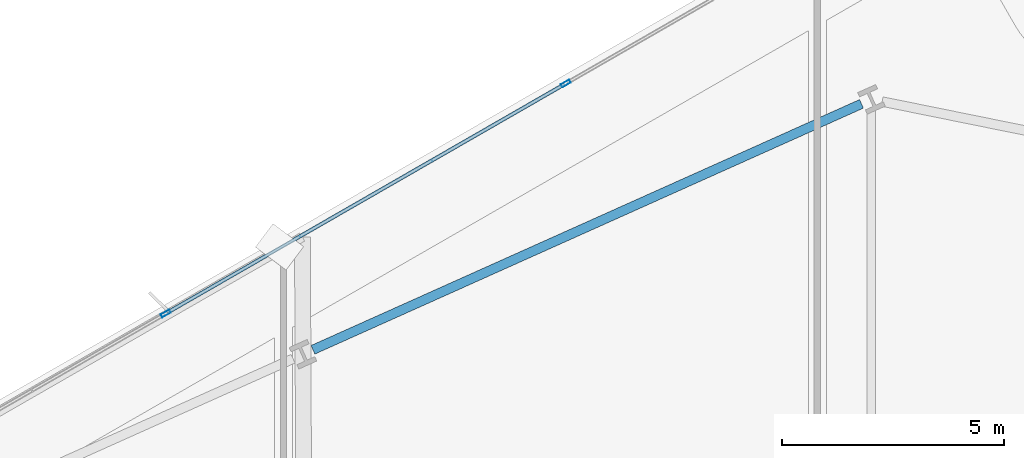
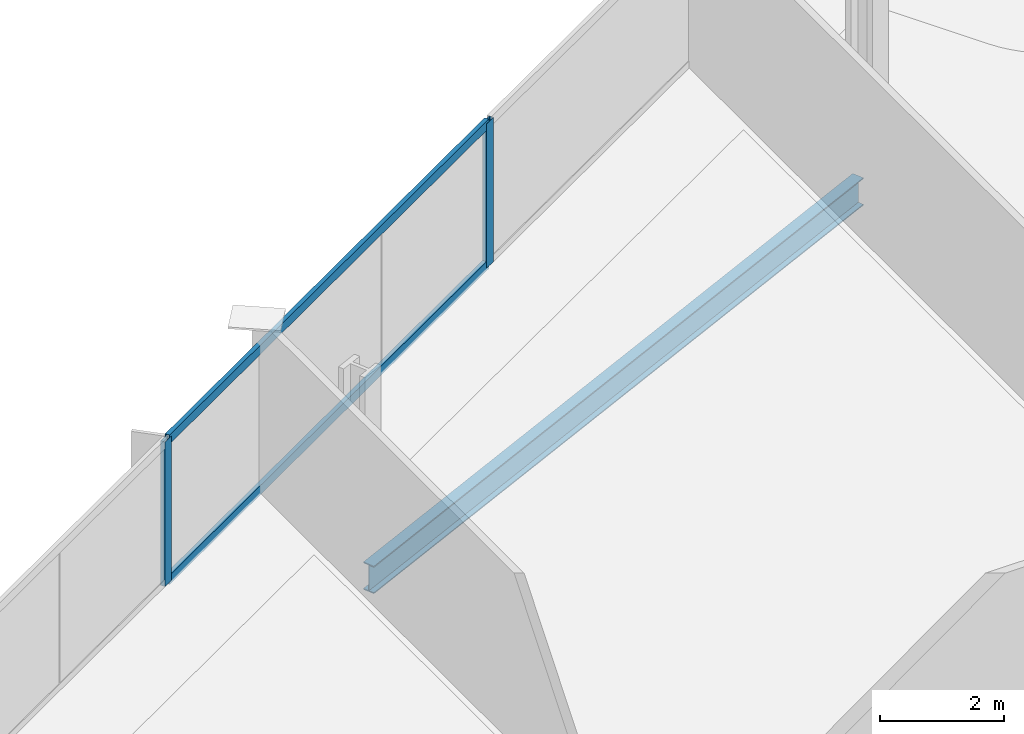
# One storey, part 15 of 33: 4 members, 1 beam, 1 element without a shape of its own.
"""IFC4 building model written with IfcOpenShell, lengths in metres."""

from ifc_helpers import new_model, si_unit, direction, frame, origin, origin_2d, place, context, subcontext, project, spatial, hollow_rectangle, i_section, extrude, material, material_profile, profile_set, type_object, element, aggregate, save


model = new_model("IFC4")

# Units and contexts
model_context = context("Model", 3, precision=1e-05, world=origin(), true_north=direction((0.0, 1.0)))
body_context = subcontext(model_context, "Body", "Model", "MODEL_VIEW")
ifc_project = project(units=[si_unit("LENGTHUNIT", "METRE"), si_unit("AREAUNIT", "SQUARE_METRE"), si_unit("VOLUMEUNIT", "CUBIC_METRE"), si_unit("PLANEANGLEUNIT", "RADIAN"), si_unit("MASSUNIT", "GRAM", prefix="KILO")], contexts=[model_context])

# Site, building, storey
site_placement = place(None, origin())
site = spatial("IfcSite", under=ifc_project, at=site_placement, CompositionType="ELEMENT")
building_placement = place(site_placement, origin())
building = spatial("IfcBuilding", under=site, at=building_placement, Name="Haldenkirk Collegiate Tower", CompositionType="ELEMENT")
storey_placement = place(building_placement, frame((0.0, 0.0, 127.949951171875)))
storey = spatial("IfcBuildingStorey", under=building, at=storey_placement, Name="L31", CompositionType="ELEMENT", Elevation=127.949951171875)

# Beam
ifc_material_1 = material(Name="Steel ASTM A992 Grade 50", Category="steel")
ifc_material_profile_1 = material_profile(ifc_material_1, i_section(OverallWidth=0.2119140625, OverallDepth=0.5439453125, WebThickness=0.01318359375, FlangeThickness=0.021240234375, at=origin_2d()), Name="W21X83")
ifc_profile_set_1 = profile_set([ifc_material_profile_1], Name="Steel ASTM A992 Grade 50")
beam_type = type_object("IfcBeamType", Name="BM-SPANDREL-W21X83", PredefinedType="SPANDREL", material=ifc_profile_set_1)
beam_placement = place(storey_placement, frame((39.4921875, 51.84033203125, -0.572021484375), z_axis=(-0.912476765144, -0.409128528793, 0.0), x_axis=(0.409128528793, -0.912476765144, 0.0)))
element("IfcBeam", 1, at=beam_placement, inside=storey, type_object=beam_type, Name="L31 perimeter spandrel beam 10", PredefinedType="SPANDREL", context=body_context, shape_type="SweptSolid", body=[
    extrude(i_section(OverallWidth=0.2119140625, OverallDepth=0.5439453125, WebThickness=0.01318359375, FlangeThickness=0.021240234375, at=origin_2d()), origin(), (0.0, 0.0, 1.0), 13.512939453125),
])

# Curtain wall, members
ifc_material_2 = material(Name="Anodised architectural bronze aluminium", Category="aluminium")
curtain_wall_type = type_object("IfcCurtainWallType", Name="CW-SYS1-CONVEX-LOW", PredefinedType="USERDEFINED", material=ifc_material_2)
curtain_wall_placement = place(storey_placement, origin())
curtain_wall = element("IfcCurtainWall", 2, at=curtain_wall_placement, inside=storey, type_object=curtain_wall_type, Name="L31 Lower tower convex bronze-framed unitised curtain wall", ObjectType="UNITISED CURTAIN WALL", PredefinedType="USERDEFINED")
ifc_material_profile_2 = material_profile(ifc_material_2, hollow_rectangle(XDim=0.080078125, YDim=0.219970703125, WallThickness=0.0048828125, at=origin_2d()), Name="CW-MUL-1A")
ifc_profile_set_2 = profile_set([ifc_material_profile_2], Name="Anodised architectural bronze aluminium")
member_type_1 = type_object("IfcMemberType", Name="CW-MUL-1A", PredefinedType="MULLION", material=ifc_profile_set_2)
member_1_placement = place(storey_placement, frame((23.851806640625, 47.12646484375, 0.0), z_axis=(0.0, 0.0, 1.0), x_axis=(-0.498488961578, 0.866896046355, 0.0)))
member_1 = element("IfcMember", 3, at=member_1_placement, type_object=member_type_1, Name="CW-1A mullion 3", PredefinedType="MULLION", context=body_context, shape_type="SweptSolid", body=[
    extrude(hollow_rectangle(XDim=0.080078125, YDim=0.219970703125, WallThickness=0.0048828125, at=origin_2d()), origin(), (0.0, 0.0, 1.0), 2.85107421875),
])
member_2_placement = place(storey_placement, frame((32.845947265625, 52.298095703125, 0.0), z_axis=(0.0, 0.0, 1.0), x_axis=(-0.498488961578, 0.866896046355, 0.0)))
member_2 = element("IfcMember", 4, at=member_2_placement, type_object=member_type_1, Name="CW-1A mullion 4", PredefinedType="MULLION", context=body_context, shape_type="SweptSolid", body=[
    extrude(hollow_rectangle(XDim=0.080078125, YDim=0.219970703125, WallThickness=0.0048828125, at=origin_2d()), origin(), (0.0, 0.0, 1.0), 2.85107421875),
])
ifc_material_profile_3 = material_profile(ifc_material_2, hollow_rectangle(XDim=0.080078125, YDim=0.179931640625, WallThickness=0.0048828125, at=origin_2d()), Name="CW-TRN-1A")
ifc_profile_set_3 = profile_set([ifc_material_profile_3], Name="Anodised architectural bronze aluminium")
member_type_2 = type_object("IfcMemberType", Name="CW-TRN-1A", PredefinedType="USERDEFINED", material=ifc_profile_set_3)
member_3_placement = place(storey_placement, frame((23.886474609375, 47.146240234375, 0.0400390625), z_axis=(0.866892980966, 0.498494292397, 0.0), x_axis=(-0.498494292397, 0.866892980966, 0.0)))
member_3 = element("IfcMember", 5, at=member_3_placement, type_object=member_type_2, Name="CW-1A transom 3.1", ObjectType="TRANSOM", PredefinedType="USERDEFINED", context=body_context, shape_type="SweptSolid", body=[
    extrude(hollow_rectangle(XDim=0.080078125, YDim=0.179931640625, WallThickness=0.0048828125, at=origin_2d()), origin(), (0.0, 0.0, 1.0), 10.295166015625),
])
member_4_placement = place(storey_placement, frame((23.886474609375, 47.146240234375, 2.81103515625), z_axis=(0.866892980966, 0.498494292397, 0.0), x_axis=(-0.498494292397, 0.866892980966, 0.0)))
member_4 = element("IfcMember", 6, at=member_4_placement, type_object=member_type_2, Name="CW-1A transom 3.2", ObjectType="TRANSOM", PredefinedType="USERDEFINED", context=body_context, shape_type="SweptSolid", body=[
    extrude(hollow_rectangle(XDim=0.080078125, YDim=0.179931640625, WallThickness=0.0048828125, at=origin_2d()), origin(), (0.0, 0.0, 1.0), 10.295166015625),
])
aggregate(curtain_wall, [member_1, member_2, member_3, member_4])

save(model, "model.ifc")
